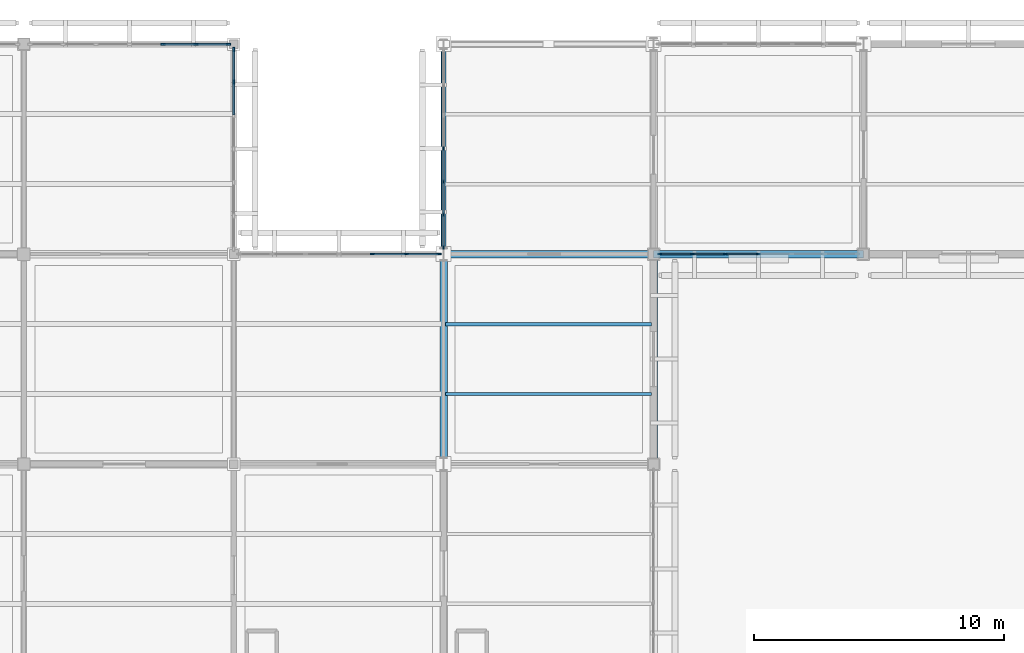
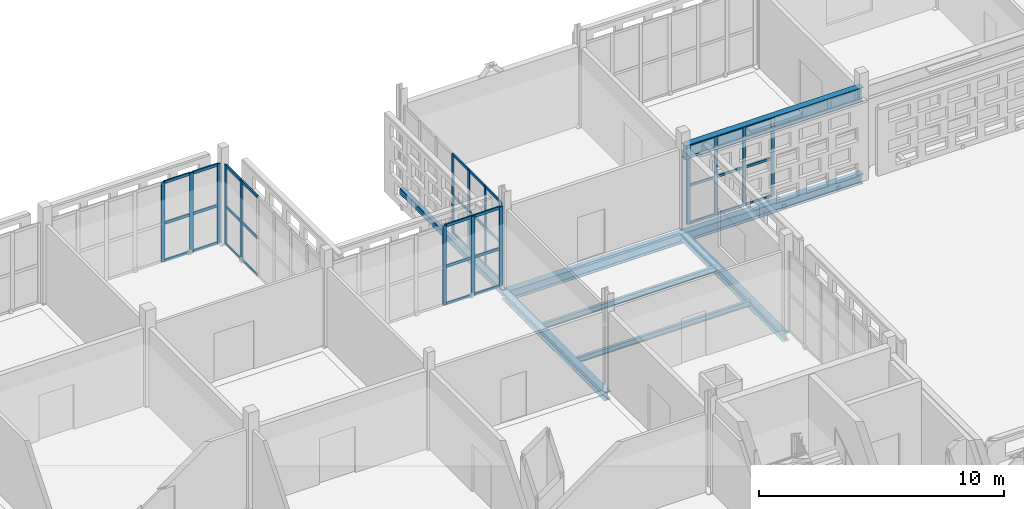
# One storey, part 50 of 203: 52 members, 8 beams, 5 elements without a shape of their own.
"""IFC4 building model written with IfcOpenShell, lengths in metres."""

from ifc_helpers import new_model, si_unit, direction, frame, origin, origin_2d, place, context, subcontext, project, spatial, rectangle, hollow_rectangle, i_section, extrude, material, layer, layer_set, material_profile, profile_set, type_object, element, aggregate, save


model = new_model("IFC4")

# Units and contexts
model_context = context("Model", 3, precision=1e-05, world=origin(), true_north=direction((0.0, 1.0)))
body_context = subcontext(model_context, "Body", "Model", "MODEL_VIEW")
ifc_project = project(units=[si_unit("LENGTHUNIT", "METRE"), si_unit("AREAUNIT", "SQUARE_METRE"), si_unit("VOLUMEUNIT", "CUBIC_METRE"), si_unit("PLANEANGLEUNIT", "RADIAN"), si_unit("MASSUNIT", "GRAM", prefix="KILO")], contexts=[model_context])

# Site, building, storey
site_placement = place(None, origin())
site = spatial("IfcSite", under=ifc_project, at=site_placement, CompositionType="ELEMENT")
building_placement = place(site_placement, origin())
building = spatial("IfcBuilding", under=site, at=building_placement, Name="Varnapada Polytechnic", CompositionType="ELEMENT")
storey_placement = place(building_placement, frame((0.0, 0.0, 4.800048828125)))
storey = spatial("IfcBuildingStorey", under=building, at=storey_placement, Name="L01", CompositionType="ELEMENT", Elevation=4.800048828125)

# Beams
ifc_material_1 = material(Name="Steel S355", Category="steel")
ifc_material_profile_1 = material_profile(ifc_material_1, i_section(OverallWidth=0.300048828125, OverallDepth=0.68994140625, WebThickness=0.014404296875, FlangeThickness=0.027099609375, FilletRadius=0.027099609375, at=origin_2d()), Name="HEA 700")
ifc_profile_set_1 = profile_set([ifc_material_profile_1], Name="Steel S355")
beam_type_1 = type_object("IfcBeamType", Name="Heavy fabrication crane girder CR-03 (HEA 700)", PredefinedType="BEAM", material=ifc_profile_set_1)
beam_1_placement = place(storey_placement, frame((58.800048828125, 117.60009765625, 3.695068359375), z_axis=(1.0, 0.0, 0.0), x_axis=(0.0, 1.0, 0.0)))
element("IfcBeam", 1, at=beam_1_placement, inside=storey, type_object=beam_type_1, Name="Workshop bridge crane runway girder 8-9 line 15", PredefinedType="BEAM", context=body_context, shape_type="SweptSolid", body=[
    extrude(i_section(OverallWidth=0.300048828125, OverallDepth=0.68994140625, WebThickness=0.014404296875, FlangeThickness=0.027099609375, FilletRadius=0.027099609375, at=origin_2d()), origin(), (0.0, 0.0, 1.0), 8.39990234375),
])
ifc_material_profile_2 = material_profile(ifc_material_1, i_section(OverallWidth=0.135009765625, OverallDepth=0.27001953125, WebThickness=0.006591796875, FlangeThickness=0.01025390625, FilletRadius=0.014892578125, at=origin_2d()), Name="IPE 270")
ifc_profile_set_2 = profile_set([ifc_material_profile_2], Name="Steel S355")
beam_type_2 = type_object("IfcBeamType", Name="Mezzanine heavy steel joist SJ-03 (IPE 270)", PredefinedType="JOIST", material=ifc_profile_set_2)
for number, where, z_axis, x_axis, name in (
    (2, (50.47998046875, 112.0, -0.405029296875), (1.0, 0.0, 0.0), (0.0, 1.0, 0.0), "L01 floor joist 7/14.1"),
    (3, (50.47998046875, 114.800048828125, -0.405029296875), (1.0, 0.0, 0.0), (0.0, 1.0, 0.0), "L01 floor joist 7/14.2"),
):
    element("IfcBeam", number, at=place(storey_placement, frame(where, z_axis=z_axis, x_axis=x_axis)), inside=storey, type_object=beam_type_2, Name=name, PredefinedType="JOIST", context=body_context, shape_type="SweptSolid", body=[
        extrude(i_section(OverallWidth=0.135009765625, OverallDepth=0.27001953125, WebThickness=0.006591796875, FlangeThickness=0.01025390625, FilletRadius=0.014892578125, at=origin_2d()), origin(), (0.0, 0.0, 1.0), 8.239990234375),
    ])

# Curtain wall, members
ifc_material_2 = material(Name="Double low-E laminated glass", Category="glass")
ifc_layer_1 = layer(ifc_material_2, 0.159912109375)
ifc_layer_set_1 = layer_set([ifc_layer_1], Name="Double low-E laminated glass")
curtain_wall_type_1 = type_object("IfcCurtainWallType", Name="Curtain Wall CW-02", PredefinedType="NOTDEFINED", material=ifc_layer_set_1)
curtain_wall_1_placement = place(storey_placement, origin())
curtain_wall_1 = element("IfcCurtainWall", 4, at=curtain_wall_1_placement, inside=storey, type_object=curtain_wall_type_1, Name="L01 unitised curtain wall CW-02 (54)", PredefinedType="NOTDEFINED")
ifc_material_3 = material(Name="Anodised aluminium", Category="aluminium")
ifc_material_profile_3 = material_profile(ifc_material_3, rectangle(XDim=0.06005859375, YDim=0.159912109375, at=origin_2d()), Name="ALU M60x160")
ifc_profile_set_3 = profile_set([ifc_material_profile_3], Name="Anodised aluminium")
member_type_1 = type_object("IfcMemberType", Name="Mullion M-01", PredefinedType="MULLION", material=ifc_profile_set_3)
member_1_placement = place(storey_placement, frame((50.39990234375, 117.8798828125, 0.0), z_axis=(0.0, 0.0, 1.0), x_axis=(-1.0, 0.0, 0.0)))
member_1 = element("IfcMember", 5, at=member_1_placement, type_object=member_type_1, Name="CW-02 mullion 1", PredefinedType="MULLION", context=body_context, shape_type="SweptSolid", body=[
    extrude(rectangle(XDim=0.06005859375, YDim=0.159912109375, at=origin_2d()), origin(), (0.0, 0.0, 1.0), 3.9599609375),
])
member_2_placement = place(storey_placement, frame((50.39990234375, 119.175048828125, 0.0), z_axis=(0.0, 0.0, 1.0), x_axis=(-1.0, 0.0, 0.0)))
member_2 = element("IfcMember", 6, at=member_2_placement, type_object=member_type_1, Name="CW-02 mullion 2", PredefinedType="MULLION", context=body_context, shape_type="SweptSolid", body=[
    extrude(rectangle(XDim=0.06005859375, YDim=0.159912109375, at=origin_2d()), origin(), (0.0, 0.0, 1.0), 3.9599609375),
])
member_3_placement = place(storey_placement, frame((50.39990234375, 120.5, 0.0), z_axis=(0.0, 0.0, 1.0), x_axis=(-1.0, 0.0, 0.0)))
member_3 = element("IfcMember", 7, at=member_3_placement, type_object=member_type_1, Name="CW-02 mullion 3", PredefinedType="MULLION", context=body_context, shape_type="SweptSolid", body=[
    extrude(rectangle(XDim=0.06005859375, YDim=0.159912109375, at=origin_2d()), origin(), (0.0, 0.0, 1.0), 3.9599609375),
])
member_4_placement = place(storey_placement, frame((50.39990234375, 121.824951171875, 0.0), z_axis=(0.0, 0.0, 1.0), x_axis=(-1.0, 0.0, 0.0)))
member_4 = element("IfcMember", 8, at=member_4_placement, type_object=member_type_1, Name="CW-02 mullion 4", PredefinedType="MULLION", context=body_context, shape_type="SweptSolid", body=[
    extrude(rectangle(XDim=0.06005859375, YDim=0.159912109375, at=origin_2d()), origin(), (0.0, 0.0, 1.0), 3.9599609375),
])

curtain_wall_2_placement = place(storey_placement, origin())
curtain_wall_2 = element("IfcCurtainWall", 9, at=curtain_wall_2_placement, inside=storey, type_object=curtain_wall_type_1, Name="L01 unitised curtain wall CW-02 (59)", PredefinedType="NOTDEFINED")
member_5_placement = place(storey_placement, frame((63.0, 117.60009765625, 0.0), z_axis=(0.0, 0.0, 1.0), x_axis=(0.0, -1.0, 0.0)))
member_5 = element("IfcMember", 10, at=member_5_placement, type_object=member_type_1, Name="CW-02 mullion 4", PredefinedType="MULLION", context=body_context, shape_type="SweptSolid", body=[
    extrude(rectangle(XDim=0.06005859375, YDim=0.159912109375, at=origin_2d()), origin(), (0.0, 0.0, 1.0), 3.9599609375),
])
member_6_placement = place(storey_placement, frame((61.669921875, 117.60009765625, 0.0), z_axis=(0.0, 0.0, 1.0), x_axis=(0.0, -1.0, 0.0)))
member_6 = element("IfcMember", 11, at=member_6_placement, type_object=member_type_1, Name="CW-02 mullion 5", PredefinedType="MULLION", context=body_context, shape_type="SweptSolid", body=[
    extrude(rectangle(XDim=0.06005859375, YDim=0.159912109375, at=origin_2d()), origin(), (0.0, 0.0, 1.0), 3.9599609375),
])
member_7_placement = place(storey_placement, frame((60.340087890625, 117.60009765625, 0.0), z_axis=(0.0, 0.0, 1.0), x_axis=(0.0, -1.0, 0.0)))
member_7 = element("IfcMember", 12, at=member_7_placement, type_object=member_type_1, Name="CW-02 mullion 6", PredefinedType="MULLION", context=body_context, shape_type="SweptSolid", body=[
    extrude(rectangle(XDim=0.06005859375, YDim=0.159912109375, at=origin_2d()), origin(), (0.0, 0.0, 1.0), 3.9599609375),
])
member_8_placement = place(storey_placement, frame((59.0400390625, 117.60009765625, 0.0), z_axis=(0.0, 0.0, 1.0), x_axis=(0.0, -1.0, 0.0)))
member_8 = element("IfcMember", 13, at=member_8_placement, type_object=member_type_1, Name="CW-02 mullion 7", PredefinedType="MULLION", context=body_context, shape_type="SweptSolid", body=[
    extrude(rectangle(XDim=0.06005859375, YDim=0.159912109375, at=origin_2d()), origin(), (0.0, 0.0, 1.0), 3.9599609375),
])

ifc_layer_2 = layer(ifc_material_2, 0.179931640625)
ifc_layer_set_2 = layer_set([ifc_layer_2], Name="Double low-E laminated glass")
curtain_wall_type_2 = type_object("IfcCurtainWallType", Name="Curtain Wall CW-03", PredefinedType="NOTDEFINED", material=ifc_layer_set_2)
curtain_wall_3_placement = place(storey_placement, origin())
curtain_wall_3 = element("IfcCurtainWall", 14, at=curtain_wall_3_placement, inside=storey, type_object=curtain_wall_type_2, Name="L01 unitised curtain wall CW-03 (41)", PredefinedType="NOTDEFINED")
ifc_material_profile_4 = material_profile(ifc_material_3, rectangle(XDim=0.06494140625, YDim=0.179931640625, at=origin_2d()), Name="ALU M65x180")
ifc_profile_set_4 = profile_set([ifc_material_profile_4], Name="Anodised aluminium")
member_type_2 = type_object("IfcMemberType", Name="Mullion M-02", PredefinedType="MULLION", material=ifc_profile_set_4)
member_9_placement = place(storey_placement, frame((39.159912109375, 126.0, 0.0), z_axis=(0.0, 0.0, 1.0), x_axis=(0.0, 1.0, 0.0)))
member_9 = element("IfcMember", 15, at=member_9_placement, type_object=member_type_2, Name="CW-03 mullion 5", PredefinedType="MULLION", context=body_context, shape_type="SweptSolid", body=[
    extrude(rectangle(XDim=0.06494140625, YDim=0.179931640625, at=origin_2d()), origin(), (0.0, 0.0, 1.0), 3.9599609375),
])
member_10_placement = place(storey_placement, frame((40.4951171875, 126.0, 0.0), z_axis=(0.0, 0.0, 1.0), x_axis=(0.0, 1.0, 0.0)))
member_10 = element("IfcMember", 16, at=member_10_placement, type_object=member_type_2, Name="CW-03 mullion 6", PredefinedType="MULLION", context=body_context, shape_type="SweptSolid", body=[
    extrude(rectangle(XDim=0.06494140625, YDim=0.179931640625, at=origin_2d()), origin(), (0.0, 0.0, 1.0), 3.9599609375),
])
member_11_placement = place(storey_placement, frame((41.797607421875, 126.0, 0.0), z_axis=(0.0, 0.0, 1.0), x_axis=(0.0, 1.0, 0.0)))
member_11 = element("IfcMember", 17, at=member_11_placement, type_object=member_type_2, Name="CW-03 mullion 7", PredefinedType="MULLION", context=body_context, shape_type="SweptSolid", body=[
    extrude(rectangle(XDim=0.06494140625, YDim=0.179931640625, at=origin_2d()), origin(), (0.0, 0.0, 1.0), 3.9599609375),
])

curtain_wall_4_placement = place(storey_placement, origin())
curtain_wall_4 = element("IfcCurtainWall", 18, at=curtain_wall_4_placement, inside=storey, type_object=curtain_wall_type_2, Name="L01 unitised curtain wall CW-03 (42)", PredefinedType="NOTDEFINED")
member_12_placement = place(storey_placement, frame((42.0, 125.797607421875, 0.0), z_axis=(0.0, 0.0, 1.0), x_axis=(1.0, 0.0, 0.0)))
member_12 = element("IfcMember", 19, at=member_12_placement, type_object=member_type_2, Name="CW-03 mullion 1", PredefinedType="MULLION", context=body_context, shape_type="SweptSolid", body=[
    extrude(rectangle(XDim=0.06494140625, YDim=0.179931640625, at=origin_2d()), origin(), (0.0, 0.0, 1.0), 3.9599609375),
])
member_13_placement = place(storey_placement, frame((42.0, 124.48828125, 0.0), z_axis=(0.0, 0.0, 1.0), x_axis=(1.0, 0.0, 0.0)))
member_13 = element("IfcMember", 20, at=member_13_placement, type_object=member_type_2, Name="CW-03 mullion 2", PredefinedType="MULLION", context=body_context, shape_type="SweptSolid", body=[
    extrude(rectangle(XDim=0.06494140625, YDim=0.179931640625, at=origin_2d()), origin(), (0.0, 0.0, 1.0), 3.9599609375),
])

curtain_wall_5_placement = place(storey_placement, origin())
curtain_wall_5 = element("IfcCurtainWall", 21, at=curtain_wall_5_placement, inside=storey, type_object=curtain_wall_type_2, Name="L01 unitised curtain wall CW-03 (47)", PredefinedType="NOTDEFINED")
member_14_placement = place(storey_placement, frame((47.56005859375, 117.60009765625, 0.0), z_axis=(0.0, 0.0, 1.0), x_axis=(0.0, 1.0, 0.0)))
member_14 = element("IfcMember", 22, at=member_14_placement, type_object=member_type_2, Name="CW-03 mullion 5", PredefinedType="MULLION", context=body_context, shape_type="SweptSolid", body=[
    extrude(rectangle(XDim=0.06494140625, YDim=0.179931640625, at=origin_2d()), origin(), (0.0, 0.0, 1.0), 3.9599609375),
])
member_15_placement = place(storey_placement, frame((48.905029296875, 117.60009765625, 0.0), z_axis=(0.0, 0.0, 1.0), x_axis=(0.0, 1.0, 0.0)))
member_15 = element("IfcMember", 23, at=member_15_placement, type_object=member_type_2, Name="CW-03 mullion 6", PredefinedType="MULLION", context=body_context, shape_type="SweptSolid", body=[
    extrude(rectangle(XDim=0.06494140625, YDim=0.179931640625, at=origin_2d()), origin(), (0.0, 0.0, 1.0), 3.9599609375),
])
member_16_placement = place(storey_placement, frame((50.217529296875, 117.60009765625, 0.0), z_axis=(0.0, 0.0, 1.0), x_axis=(0.0, 1.0, 0.0)))
member_16 = element("IfcMember", 24, at=member_16_placement, type_object=member_type_2, Name="CW-03 mullion 7", PredefinedType="MULLION", context=body_context, shape_type="SweptSolid", body=[
    extrude(rectangle(XDim=0.06494140625, YDim=0.179931640625, at=origin_2d()), origin(), (0.0, 0.0, 1.0), 3.9599609375),
])

# Beams
ifc_material_profile_5 = material_profile(ifc_material_1, i_section(OverallWidth=0.300048828125, OverallDepth=0.389892578125, WebThickness=0.010986328125, FlangeThickness=0.01904296875, FilletRadius=0.027099609375, at=origin_2d()), Name="HEA 400")
ifc_profile_set_5 = profile_set([ifc_material_profile_5], Name="Steel S355")
beam_type_3 = type_object("IfcBeamType", Name="Steel roof primary girder SG-01 (HEA 400)", PredefinedType="BEAM", material=ifc_profile_set_5)
for number, where, z_axis, x_axis, name in (
    (25, (50.39990234375, 109.199951171875, -0.455078125), (0.0, 1.0, 0.0), (-1.0, 0.0, 0.0), "L01 beam Y 14-15 at X7"),
    (26, (58.800048828125, 109.199951171875, -0.465087890625), (0.0, 1.0, 0.0), (-1.0, 0.0, 0.0), "L01 beam Y 14-15 at X8"),
):
    element("IfcBeam", number, at=place(storey_placement, frame(where, z_axis=z_axis, x_axis=x_axis)), inside=storey, type_object=beam_type_3, Name=name, PredefinedType="BEAM", context=body_context, shape_type="SweptSolid", body=[
        extrude(i_section(OverallWidth=0.300048828125, OverallDepth=0.389892578125, WebThickness=0.010986328125, FlangeThickness=0.01904296875, FilletRadius=0.027099609375, at=origin_2d()), origin(), (0.0, 0.0, 1.0), 8.400146484375),
    ])

# Member
ifc_material_profile_6 = material_profile(ifc_material_3, rectangle(XDim=0.06005859375, YDim=0.1201171875, at=origin_2d()), Name="ALU T60x120")
ifc_profile_set_6 = profile_set([ifc_material_profile_6], Name="Anodised aluminium")
member_type_3 = type_object("IfcMemberType", Name="Transom T-01", PredefinedType="USERDEFINED", material=ifc_profile_set_6)
member_17_placement = place(storey_placement, frame((50.39990234375, 117.909912109375, 0.030029296875), z_axis=(0.0, 1.0, 0.0), x_axis=(-1.0, 0.0, 0.0)))
member_17 = element("IfcMember", 27, at=member_17_placement, type_object=member_type_3, Name="CW-02 transom 1.1", ObjectType="TRANSOM", PredefinedType="USERDEFINED", context=body_context, shape_type="SweptSolid", body=[
    extrude(rectangle(XDim=0.06005859375, YDim=0.1201171875, at=origin_2d()), origin(), (0.0, 0.0, 1.0), 1.235107421875),
])

member_18_placement = place(storey_placement, frame((50.39990234375, 117.909912109375, 1.900634765625), z_axis=(0.0, 1.0, 0.0), x_axis=(-1.0, 0.0, 0.0)))
member_18 = element("IfcMember", 28, at=member_18_placement, type_object=member_type_3, Name="CW-02 transom 1.2", ObjectType="TRANSOM", PredefinedType="USERDEFINED", context=body_context, shape_type="SweptSolid", body=[
    extrude(rectangle(XDim=0.06005859375, YDim=0.1201171875, at=origin_2d()), origin(), (0.0, 0.0, 1.0), 1.235107421875),
])

member_19_placement = place(storey_placement, frame((50.39990234375, 117.909912109375, 3.929931640625), z_axis=(0.0, 1.0, 0.0), x_axis=(-1.0, 0.0, 0.0)))
member_19 = element("IfcMember", 29, at=member_19_placement, type_object=member_type_3, Name="CW-02 transom 1.3", ObjectType="TRANSOM", PredefinedType="USERDEFINED", context=body_context, shape_type="SweptSolid", body=[
    extrude(rectangle(XDim=0.06005859375, YDim=0.1201171875, at=origin_2d()), origin(), (0.0, 0.0, 1.0), 1.235107421875),
])

member_20_placement = place(storey_placement, frame((50.39990234375, 119.205078125, 0.030029296875), z_axis=(0.0, 1.0, 0.0), x_axis=(-1.0, 0.0, 0.0)))
member_20 = element("IfcMember", 30, at=member_20_placement, type_object=member_type_3, Name="CW-02 transom 2.1", ObjectType="TRANSOM", PredefinedType="USERDEFINED", context=body_context, shape_type="SweptSolid", body=[
    extrude(rectangle(XDim=0.06005859375, YDim=0.1201171875, at=origin_2d()), origin(), (0.0, 0.0, 1.0), 1.264892578125),
])

member_21_placement = place(storey_placement, frame((50.39990234375, 119.205078125, 1.900634765625), z_axis=(0.0, 1.0, 0.0), x_axis=(-1.0, 0.0, 0.0)))
member_21 = element("IfcMember", 31, at=member_21_placement, type_object=member_type_3, Name="CW-02 transom 2.2", ObjectType="TRANSOM", PredefinedType="USERDEFINED", context=body_context, shape_type="SweptSolid", body=[
    extrude(rectangle(XDim=0.06005859375, YDim=0.1201171875, at=origin_2d()), origin(), (0.0, 0.0, 1.0), 1.264892578125),
])

member_22_placement = place(storey_placement, frame((50.39990234375, 119.205078125, 3.929931640625), z_axis=(0.0, 1.0, 0.0), x_axis=(-1.0, 0.0, 0.0)))
member_22 = element("IfcMember", 32, at=member_22_placement, type_object=member_type_3, Name="CW-02 transom 2.3", ObjectType="TRANSOM", PredefinedType="USERDEFINED", context=body_context, shape_type="SweptSolid", body=[
    extrude(rectangle(XDim=0.06005859375, YDim=0.1201171875, at=origin_2d()), origin(), (0.0, 0.0, 1.0), 1.264892578125),
])

member_23_placement = place(storey_placement, frame((50.39990234375, 120.530029296875, 0.030029296875), z_axis=(0.0, 1.0, 0.0), x_axis=(-1.0, 0.0, 0.0)))
member_23 = element("IfcMember", 33, at=member_23_placement, type_object=member_type_3, Name="CW-02 transom 3.1", ObjectType="TRANSOM", PredefinedType="USERDEFINED", context=body_context, shape_type="SweptSolid", body=[
    extrude(rectangle(XDim=0.06005859375, YDim=0.1201171875, at=origin_2d()), origin(), (0.0, 0.0, 1.0), 1.264892578125),
])

member_24_placement = place(storey_placement, frame((50.39990234375, 120.530029296875, 1.900634765625), z_axis=(0.0, 1.0, 0.0), x_axis=(-1.0, 0.0, 0.0)))
member_24 = element("IfcMember", 34, at=member_24_placement, type_object=member_type_3, Name="CW-02 transom 3.2", ObjectType="TRANSOM", PredefinedType="USERDEFINED", context=body_context, shape_type="SweptSolid", body=[
    extrude(rectangle(XDim=0.06005859375, YDim=0.1201171875, at=origin_2d()), origin(), (0.0, 0.0, 1.0), 1.264892578125),
])

member_25_placement = place(storey_placement, frame((50.39990234375, 120.530029296875, 3.929931640625), z_axis=(0.0, 1.0, 0.0), x_axis=(-1.0, 0.0, 0.0)))
member_25 = element("IfcMember", 35, at=member_25_placement, type_object=member_type_3, Name="CW-02 transom 3.3", ObjectType="TRANSOM", PredefinedType="USERDEFINED", context=body_context, shape_type="SweptSolid", body=[
    extrude(rectangle(XDim=0.06005859375, YDim=0.1201171875, at=origin_2d()), origin(), (0.0, 0.0, 1.0), 1.264892578125),
])

aggregate(curtain_wall_1, [member_1, member_2, member_3, member_4, member_17, member_18, member_19, member_20, member_21, member_22, member_23, member_24, member_25])

member_26_placement = place(storey_placement, frame((62.969970703125, 117.60009765625, 0.030029296875), z_axis=(-1.0, 0.0, 0.0), x_axis=(0.0, -1.0, 0.0)))
member_26 = element("IfcMember", 36, at=member_26_placement, type_object=member_type_3, Name="CW-02 transom 4.1", ObjectType="TRANSOM", PredefinedType="USERDEFINED", context=body_context, shape_type="SweptSolid", body=[
    extrude(rectangle(XDim=0.06005859375, YDim=0.1201171875, at=origin_2d()), origin(), (0.0, 0.0, 1.0), 1.27001953125),
])

member_27_placement = place(storey_placement, frame((62.969970703125, 117.60009765625, 1.900634765625), z_axis=(-1.0, 0.0, 0.0), x_axis=(0.0, -1.0, 0.0)))
member_27 = element("IfcMember", 37, at=member_27_placement, type_object=member_type_3, Name="CW-02 transom 4.2", ObjectType="TRANSOM", PredefinedType="USERDEFINED", context=body_context, shape_type="SweptSolid", body=[
    extrude(rectangle(XDim=0.06005859375, YDim=0.1201171875, at=origin_2d()), origin(), (0.0, 0.0, 1.0), 1.27001953125),
])

member_28_placement = place(storey_placement, frame((62.969970703125, 117.60009765625, 3.929931640625), z_axis=(-1.0, 0.0, 0.0), x_axis=(0.0, -1.0, 0.0)))
member_28 = element("IfcMember", 38, at=member_28_placement, type_object=member_type_3, Name="CW-02 transom 4.3", ObjectType="TRANSOM", PredefinedType="USERDEFINED", context=body_context, shape_type="SweptSolid", body=[
    extrude(rectangle(XDim=0.06005859375, YDim=0.1201171875, at=origin_2d()), origin(), (0.0, 0.0, 1.0), 1.27001953125),
])

member_29_placement = place(storey_placement, frame((61.639892578125, 117.60009765625, 0.030029296875), z_axis=(-1.0, 0.0, 0.0), x_axis=(0.0, -1.0, 0.0)))
member_29 = element("IfcMember", 39, at=member_29_placement, type_object=member_type_3, Name="CW-02 transom 5.1", ObjectType="TRANSOM", PredefinedType="USERDEFINED", context=body_context, shape_type="SweptSolid", body=[
    extrude(rectangle(XDim=0.06005859375, YDim=0.1201171875, at=origin_2d()), origin(), (0.0, 0.0, 1.0), 1.269775390625),
])

member_30_placement = place(storey_placement, frame((61.639892578125, 117.60009765625, 1.900634765625), z_axis=(-1.0, 0.0, 0.0), x_axis=(0.0, -1.0, 0.0)))
member_30 = element("IfcMember", 40, at=member_30_placement, type_object=member_type_3, Name="CW-02 transom 5.2", ObjectType="TRANSOM", PredefinedType="USERDEFINED", context=body_context, shape_type="SweptSolid", body=[
    extrude(rectangle(XDim=0.06005859375, YDim=0.1201171875, at=origin_2d()), origin(), (0.0, 0.0, 1.0), 1.269775390625),
])

member_31_placement = place(storey_placement, frame((61.639892578125, 117.60009765625, 3.929931640625), z_axis=(-1.0, 0.0, 0.0), x_axis=(0.0, -1.0, 0.0)))
member_31 = element("IfcMember", 41, at=member_31_placement, type_object=member_type_3, Name="CW-02 transom 5.3", ObjectType="TRANSOM", PredefinedType="USERDEFINED", context=body_context, shape_type="SweptSolid", body=[
    extrude(rectangle(XDim=0.06005859375, YDim=0.1201171875, at=origin_2d()), origin(), (0.0, 0.0, 1.0), 1.269775390625),
])

member_32_placement = place(storey_placement, frame((60.31005859375, 117.60009765625, 0.030029296875), z_axis=(-1.0, 0.0, 0.0), x_axis=(0.0, -1.0, 0.0)))
member_32 = element("IfcMember", 42, at=member_32_placement, type_object=member_type_3, Name="CW-02 transom 6.1", ObjectType="TRANSOM", PredefinedType="USERDEFINED", context=body_context, shape_type="SweptSolid", body=[
    extrude(rectangle(XDim=0.06005859375, YDim=0.1201171875, at=origin_2d()), origin(), (0.0, 0.0, 1.0), 1.239990234375),
])

member_33_placement = place(storey_placement, frame((60.31005859375, 117.60009765625, 1.900634765625), z_axis=(-1.0, 0.0, 0.0), x_axis=(0.0, -1.0, 0.0)))
member_33 = element("IfcMember", 43, at=member_33_placement, type_object=member_type_3, Name="CW-02 transom 6.2", ObjectType="TRANSOM", PredefinedType="USERDEFINED", context=body_context, shape_type="SweptSolid", body=[
    extrude(rectangle(XDim=0.06005859375, YDim=0.1201171875, at=origin_2d()), origin(), (0.0, 0.0, 1.0), 1.239990234375),
])

member_34_placement = place(storey_placement, frame((60.31005859375, 117.60009765625, 3.929931640625), z_axis=(-1.0, 0.0, 0.0), x_axis=(0.0, -1.0, 0.0)))
member_34 = element("IfcMember", 44, at=member_34_placement, type_object=member_type_3, Name="CW-02 transom 6.3", ObjectType="TRANSOM", PredefinedType="USERDEFINED", context=body_context, shape_type="SweptSolid", body=[
    extrude(rectangle(XDim=0.06005859375, YDim=0.1201171875, at=origin_2d()), origin(), (0.0, 0.0, 1.0), 1.239990234375),
])

aggregate(curtain_wall_2, [member_5, member_6, member_7, member_8, member_26, member_27, member_28, member_29, member_30, member_31, member_32, member_33, member_34])

ifc_material_profile_7 = material_profile(ifc_material_3, rectangle(XDim=0.06494140625, YDim=0.139892578125, at=origin_2d()), Name="ALU T65x140")
ifc_profile_set_7 = profile_set([ifc_material_profile_7], Name="Anodised aluminium")
member_type_4 = type_object("IfcMemberType", Name="Transom T-02", PredefinedType="USERDEFINED", material=ifc_profile_set_7)
member_35_placement = place(storey_placement, frame((39.1923828125, 126.0, 0.032470703125), z_axis=(1.0, 0.0, 0.0), x_axis=(0.0, 1.0, 0.0)))
member_35 = element("IfcMember", 45, at=member_35_placement, type_object=member_type_4, Name="CW-03 transom 5.1", ObjectType="TRANSOM", PredefinedType="USERDEFINED", context=body_context, shape_type="SweptSolid", body=[
    extrude(rectangle(XDim=0.06494140625, YDim=0.139892578125, at=origin_2d()), origin(), (0.0, 0.0, 1.0), 1.27001953125),
])

member_36_placement = place(storey_placement, frame((39.1923828125, 126.0, 1.900634765625), z_axis=(1.0, 0.0, 0.0), x_axis=(0.0, 1.0, 0.0)))
member_36 = element("IfcMember", 46, at=member_36_placement, type_object=member_type_4, Name="CW-03 transom 5.2", ObjectType="TRANSOM", PredefinedType="USERDEFINED", context=body_context, shape_type="SweptSolid", body=[
    extrude(rectangle(XDim=0.06494140625, YDim=0.139892578125, at=origin_2d()), origin(), (0.0, 0.0, 1.0), 1.27001953125),
])

member_37_placement = place(storey_placement, frame((39.1923828125, 126.0, 3.927490234375), z_axis=(1.0, 0.0, 0.0), x_axis=(0.0, 1.0, 0.0)))
member_37 = element("IfcMember", 47, at=member_37_placement, type_object=member_type_4, Name="CW-03 transom 5.3", ObjectType="TRANSOM", PredefinedType="USERDEFINED", context=body_context, shape_type="SweptSolid", body=[
    extrude(rectangle(XDim=0.06494140625, YDim=0.139892578125, at=origin_2d()), origin(), (0.0, 0.0, 1.0), 1.27001953125),
])

member_38_placement = place(storey_placement, frame((40.527587890625, 126.0, 0.032470703125), z_axis=(1.0, 0.0, 0.0), x_axis=(0.0, 1.0, 0.0)))
member_38 = element("IfcMember", 48, at=member_38_placement, type_object=member_type_4, Name="CW-03 transom 6.1", ObjectType="TRANSOM", PredefinedType="USERDEFINED", context=body_context, shape_type="SweptSolid", body=[
    extrude(rectangle(XDim=0.06494140625, YDim=0.139892578125, at=origin_2d()), origin(), (0.0, 0.0, 1.0), 1.2373046875),
])

member_39_placement = place(storey_placement, frame((40.527587890625, 126.0, 1.900634765625), z_axis=(1.0, 0.0, 0.0), x_axis=(0.0, 1.0, 0.0)))
member_39 = element("IfcMember", 49, at=member_39_placement, type_object=member_type_4, Name="CW-03 transom 6.2", ObjectType="TRANSOM", PredefinedType="USERDEFINED", context=body_context, shape_type="SweptSolid", body=[
    extrude(rectangle(XDim=0.06494140625, YDim=0.139892578125, at=origin_2d()), origin(), (0.0, 0.0, 1.0), 1.2373046875),
])

member_40_placement = place(storey_placement, frame((40.527587890625, 126.0, 3.927490234375), z_axis=(1.0, 0.0, 0.0), x_axis=(0.0, 1.0, 0.0)))
member_40 = element("IfcMember", 50, at=member_40_placement, type_object=member_type_4, Name="CW-03 transom 6.3", ObjectType="TRANSOM", PredefinedType="USERDEFINED", context=body_context, shape_type="SweptSolid", body=[
    extrude(rectangle(XDim=0.06494140625, YDim=0.139892578125, at=origin_2d()), origin(), (0.0, 0.0, 1.0), 1.2373046875),
])

aggregate(curtain_wall_3, [member_9, member_10, member_11, member_35, member_36, member_37, member_38, member_39, member_40])

member_41_placement = place(storey_placement, frame((42.0, 125.764892578125, 0.032470703125), z_axis=(0.0, -1.0, 0.0), x_axis=(1.0, 0.0, 0.0)))
member_41 = element("IfcMember", 51, at=member_41_placement, type_object=member_type_4, Name="CW-03 transom 1.1", ObjectType="TRANSOM", PredefinedType="USERDEFINED", context=body_context, shape_type="SweptSolid", body=[
    extrude(rectangle(XDim=0.06494140625, YDim=0.139892578125, at=origin_2d()), origin(), (0.0, 0.0, 1.0), 1.244140625),
])

member_42_placement = place(storey_placement, frame((42.0, 125.764892578125, 1.900634765625), z_axis=(0.0, -1.0, 0.0), x_axis=(1.0, 0.0, 0.0)))
member_42 = element("IfcMember", 52, at=member_42_placement, type_object=member_type_4, Name="CW-03 transom 1.2", ObjectType="TRANSOM", PredefinedType="USERDEFINED", context=body_context, shape_type="SweptSolid", body=[
    extrude(rectangle(XDim=0.06494140625, YDim=0.139892578125, at=origin_2d()), origin(), (0.0, 0.0, 1.0), 1.244140625),
])

member_43_placement = place(storey_placement, frame((42.0, 125.764892578125, 3.927490234375), z_axis=(0.0, -1.0, 0.0), x_axis=(1.0, 0.0, 0.0)))
member_43 = element("IfcMember", 53, at=member_43_placement, type_object=member_type_4, Name="CW-03 transom 1.3", ObjectType="TRANSOM", PredefinedType="USERDEFINED", context=body_context, shape_type="SweptSolid", body=[
    extrude(rectangle(XDim=0.06494140625, YDim=0.139892578125, at=origin_2d()), origin(), (0.0, 0.0, 1.0), 1.244140625),
])

member_44_placement = place(storey_placement, frame((42.0, 124.455810546875, 0.032470703125), z_axis=(0.0, -1.0, 0.0), x_axis=(1.0, 0.0, 0.0)))
member_44 = element("IfcMember", 54, at=member_44_placement, type_object=member_type_4, Name="CW-03 transom 2.1", ObjectType="TRANSOM", PredefinedType="USERDEFINED", context=body_context, shape_type="SweptSolid", body=[
    extrude(rectangle(XDim=0.06494140625, YDim=0.139892578125, at=origin_2d()), origin(), (0.0, 0.0, 1.0), 1.276611328125),
])

member_45_placement = place(storey_placement, frame((42.0, 124.455810546875, 1.900634765625), z_axis=(0.0, -1.0, 0.0), x_axis=(1.0, 0.0, 0.0)))
member_45 = element("IfcMember", 55, at=member_45_placement, type_object=member_type_4, Name="CW-03 transom 2.2", ObjectType="TRANSOM", PredefinedType="USERDEFINED", context=body_context, shape_type="SweptSolid", body=[
    extrude(rectangle(XDim=0.06494140625, YDim=0.139892578125, at=origin_2d()), origin(), (0.0, 0.0, 1.0), 1.276611328125),
])

member_46_placement = place(storey_placement, frame((42.0, 124.455810546875, 3.927490234375), z_axis=(0.0, -1.0, 0.0), x_axis=(1.0, 0.0, 0.0)))
member_46 = element("IfcMember", 56, at=member_46_placement, type_object=member_type_4, Name="CW-03 transom 2.3", ObjectType="TRANSOM", PredefinedType="USERDEFINED", context=body_context, shape_type="SweptSolid", body=[
    extrude(rectangle(XDim=0.06494140625, YDim=0.139892578125, at=origin_2d()), origin(), (0.0, 0.0, 1.0), 1.276611328125),
])

aggregate(curtain_wall_4, [member_12, member_13, member_41, member_42, member_43, member_44, member_45, member_46])

member_47_placement = place(storey_placement, frame((47.592529296875, 117.60009765625, 0.032470703125), z_axis=(1.0, 0.0, 0.0), x_axis=(0.0, 1.0, 0.0)))
member_47 = element("IfcMember", 57, at=member_47_placement, type_object=member_type_4, Name="CW-03 transom 5.1", ObjectType="TRANSOM", PredefinedType="USERDEFINED", context=body_context, shape_type="SweptSolid", body=[
    extrude(rectangle(XDim=0.06494140625, YDim=0.139892578125, at=origin_2d()), origin(), (0.0, 0.0, 1.0), 1.280029296875),
])

member_48_placement = place(storey_placement, frame((47.592529296875, 117.60009765625, 1.900634765625), z_axis=(1.0, 0.0, 0.0), x_axis=(0.0, 1.0, 0.0)))
member_48 = element("IfcMember", 58, at=member_48_placement, type_object=member_type_4, Name="CW-03 transom 5.2", ObjectType="TRANSOM", PredefinedType="USERDEFINED", context=body_context, shape_type="SweptSolid", body=[
    extrude(rectangle(XDim=0.06494140625, YDim=0.139892578125, at=origin_2d()), origin(), (0.0, 0.0, 1.0), 1.280029296875),
])

member_49_placement = place(storey_placement, frame((47.592529296875, 117.60009765625, 3.927490234375), z_axis=(1.0, 0.0, 0.0), x_axis=(0.0, 1.0, 0.0)))
member_49 = element("IfcMember", 59, at=member_49_placement, type_object=member_type_4, Name="CW-03 transom 5.3", ObjectType="TRANSOM", PredefinedType="USERDEFINED", context=body_context, shape_type="SweptSolid", body=[
    extrude(rectangle(XDim=0.06494140625, YDim=0.139892578125, at=origin_2d()), origin(), (0.0, 0.0, 1.0), 1.280029296875),
])

member_50_placement = place(storey_placement, frame((48.9375, 117.60009765625, 0.032470703125), z_axis=(1.0, 0.0, 0.0), x_axis=(0.0, 1.0, 0.0)))
member_50 = element("IfcMember", 60, at=member_50_placement, type_object=member_type_4, Name="CW-03 transom 6.1", ObjectType="TRANSOM", PredefinedType="USERDEFINED", context=body_context, shape_type="SweptSolid", body=[
    extrude(rectangle(XDim=0.06494140625, YDim=0.139892578125, at=origin_2d()), origin(), (0.0, 0.0, 1.0), 1.24755859375),
])

member_51_placement = place(storey_placement, frame((48.9375, 117.60009765625, 1.900634765625), z_axis=(1.0, 0.0, 0.0), x_axis=(0.0, 1.0, 0.0)))
member_51 = element("IfcMember", 61, at=member_51_placement, type_object=member_type_4, Name="CW-03 transom 6.2", ObjectType="TRANSOM", PredefinedType="USERDEFINED", context=body_context, shape_type="SweptSolid", body=[
    extrude(rectangle(XDim=0.06494140625, YDim=0.139892578125, at=origin_2d()), origin(), (0.0, 0.0, 1.0), 1.24755859375),
])

member_52_placement = place(storey_placement, frame((48.9375, 117.60009765625, 3.927490234375), z_axis=(1.0, 0.0, 0.0), x_axis=(0.0, 1.0, 0.0)))
member_52 = element("IfcMember", 62, at=member_52_placement, type_object=member_type_4, Name="CW-03 transom 6.3", ObjectType="TRANSOM", PredefinedType="USERDEFINED", context=body_context, shape_type="SweptSolid", body=[
    extrude(rectangle(XDim=0.06494140625, YDim=0.139892578125, at=origin_2d()), origin(), (0.0, 0.0, 1.0), 1.24755859375),
])

aggregate(curtain_wall_5, [member_14, member_15, member_16, member_47, member_48, member_49, member_50, member_51, member_52])

# Beams
ifc_material_profile_8 = material_profile(ifc_material_1, i_section(OverallWidth=0.300048828125, OverallDepth=0.489990234375, WebThickness=0.011962890625, FlangeThickness=0.02294921875, FilletRadius=0.027099609375, at=origin_2d()), Name="HEA 500")
ifc_profile_set_8 = profile_set([ifc_material_profile_8], Name="Steel S355")
beam_type_4 = type_object("IfcBeamType", Name="Workshop gallery edge girder CR-02 (HEA 500)", PredefinedType="BEAM", material=ifc_profile_set_8)
beam_2_placement = place(storey_placement, frame((50.39990234375, 117.60009765625, -0.51513671875), z_axis=(1.0, 0.0, 0.0), x_axis=(0.0, 1.0, 0.0)))
element("IfcBeam", 63, at=beam_2_placement, inside=storey, type_object=beam_type_4, Name="L01 beam X 7-8 at Y15", PredefinedType="BEAM", context=body_context, shape_type="SweptSolid", body=[
    extrude(i_section(OverallWidth=0.300048828125, OverallDepth=0.489990234375, WebThickness=0.011962890625, FlangeThickness=0.02294921875, FilletRadius=0.027099609375, at=origin_2d()), origin(), (0.0, 0.0, 1.0), 8.400146484375),
])
beam_3_placement = place(storey_placement, frame((58.800048828125, 117.60009765625, -0.51513671875), z_axis=(1.0, 0.0, 0.0), x_axis=(0.0, 1.0, 0.0)))
element("IfcBeam", 64, at=beam_3_placement, inside=storey, type_object=beam_type_4, Name="L01 beam X 8-9 at Y15", PredefinedType="BEAM", context=body_context, shape_type="SweptSolid", body=[
    extrude(i_section(OverallWidth=0.300048828125, OverallDepth=0.489990234375, WebThickness=0.011962890625, FlangeThickness=0.02294921875, FilletRadius=0.027099609375, at=origin_2d()), origin(), (0.0, 0.0, 1.0), 8.39990234375),
])
ifc_material_profile_9 = material_profile(ifc_material_1, hollow_rectangle(XDim=0.199951171875, YDim=0.300048828125, WallThickness=0.010009765625, InnerFilletRadius=0.010009765625, OuterFilletRadius=0.02001953125, at=origin_2d()), Name="RHS 300x200x10")
ifc_profile_set_9 = profile_set([ifc_material_profile_9], Name="Steel S355")
beam_type_5 = type_object("IfcBeamType", Name="Workshop steel spandrel tie SP-03 (RHS 300x200x10)", PredefinedType="SPANDREL", material=ifc_profile_set_9)
beam_4_placement = place(storey_placement, frame((50.39990234375, 117.60009765625, -0.41015625), z_axis=(0.0, 1.0, 0.0), x_axis=(-1.0, 0.0, 0.0)))
element("IfcBeam", 65, at=beam_4_placement, inside=storey, type_object=beam_type_5, Name="L01 beam Y 15-16 at X7", PredefinedType="SPANDREL", context=body_context, shape_type="SweptSolid", body=[
    extrude(hollow_rectangle(XDim=0.199951171875, YDim=0.300048828125, WallThickness=0.010009765625, InnerFilletRadius=0.010009765625, OuterFilletRadius=0.02001953125, at=origin_2d()), origin(), (0.0, 0.0, 1.0), 8.39990234375),
])

save(model, "model.ifc")
